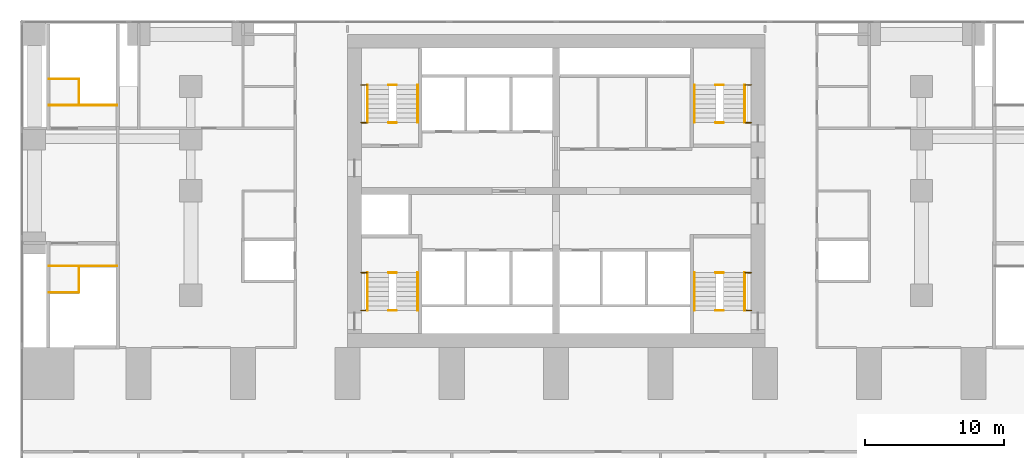
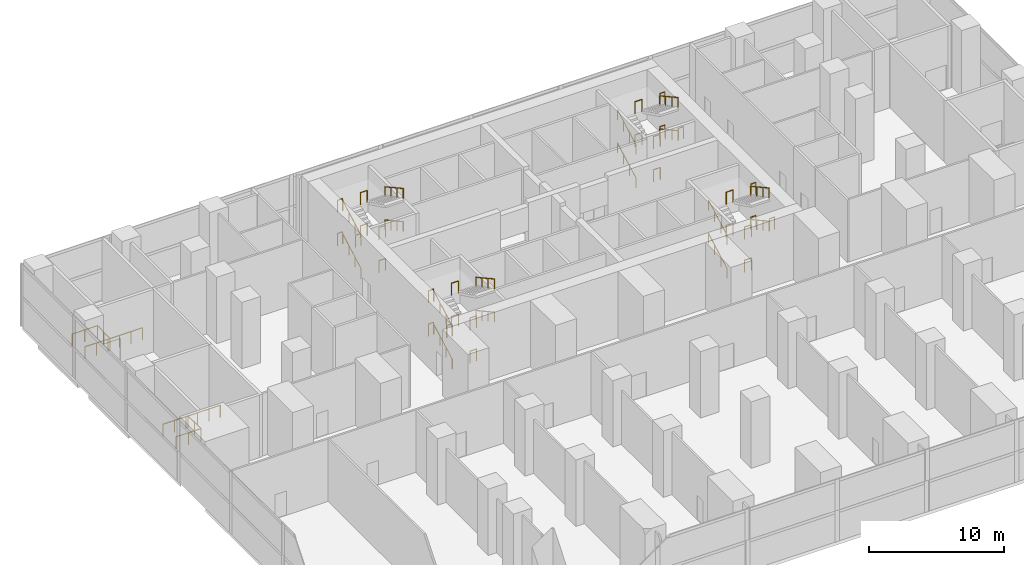
# One storey, part 13 of 14: 50 railings.
"""IFC4 building model written with IfcOpenShell, lengths in metres."""

from ifc_helpers import new_model, si_unit, direction, frame, origin, origin_2d, place, context, subcontext, project, spatial, circle, extrude, material, type_object, element, save


model = new_model("IFC4")

# Units and contexts
model_context = context("Model", 3, precision=1e-05, world=origin(), true_north=direction((0.0, 1.0)))
body_context = subcontext(model_context, "Body", "Model", "MODEL_VIEW")
ifc_project = project(units=[si_unit("LENGTHUNIT", "METRE"), si_unit("AREAUNIT", "SQUARE_METRE"), si_unit("VOLUMEUNIT", "CUBIC_METRE"), si_unit("PLANEANGLEUNIT", "RADIAN"), si_unit("MASSUNIT", "GRAM", prefix="KILO")], contexts=[model_context])

# Site, building, storey
site_placement = place(None, origin())
site = spatial("IfcSite", under=ifc_project, at=site_placement, CompositionType="ELEMENT")
building_placement = place(site_placement, origin())
building = spatial("IfcBuilding", under=site, at=building_placement, Name="Pilkhan Gate Tower", CompositionType="ELEMENT")
storey_placement = place(building_placement, frame((0.0, 0.0, 24.0)))
storey = spatial("IfcBuildingStorey", under=building, at=storey_placement, Name="L03", CompositionType="ELEMENT", Elevation=24.0)

# Railings
ifc_material_1 = material(Name="Black powder-coated steel tube", Category="steel")
railing_type_1 = type_object("IfcRailingType", Name="Stair handrail HR1", PredefinedType="HANDRAIL", material=ifc_material_1)
railing_1_placement = place(storey_placement, frame((84.949951171875, 73.89990234375, 0.0)))
element("IfcRailing", 1, at=railing_1_placement, inside=storey, type_object=railing_type_1, Name="Stair ST1 handrail L03", PredefinedType="HANDRAIL", context=body_context, shape_type="SweptSolid", body=[
    extrude(circle(Radius=0.02392578125, at=origin_2d()), frame((0.0, 0.0, 0.8759765625), z_axis=(0.0, 0.875687706403, 0.482877873644), x_axis=(-1.0, 0.0, 0.0)), (0.0, 0.0, 1.0), 3.1064453125),
    extrude(circle(Radius=0.02099609375, at=origin_2d()), origin(), (0.0, 0.0, 1.0), 0.851806640625),
    extrude(circle(Radius=0.02099609375, at=origin_2d()), frame((0.0, 0.90673828125, 0.5)), (0.0, 0.0, 1.0), 0.851806640625),
    extrude(circle(Radius=0.02099609375, at=origin_2d()), frame((0.0, 1.8134765625, 1.0)), (0.0, 0.0, 1.0), 0.851806640625),
    extrude(circle(Radius=0.02099609375, at=origin_2d()), frame((0.0, 2.72021484375, 1.5)), (0.0, 0.0, 1.0), 0.851806640625),
])
railing_2_placement = place(storey_placement, frame((88.550048828125, 76.6201171875, 1.5)))
element("IfcRailing", 2, at=railing_2_placement, inside=storey, type_object=railing_type_1, Name="Stair ST1 handrail L03", PredefinedType="HANDRAIL", context=body_context, shape_type="SweptSolid", body=[
    extrude(circle(Radius=0.02392578125, at=origin_2d()), frame((0.0, 0.0, 0.8759765625), z_axis=(0.0, -0.875687706403, 0.482877873644), x_axis=(1.0, 0.0, 0.0)), (0.0, 0.0, 1.0), 3.1064453125),
    extrude(circle(Radius=0.02099609375, at=origin_2d()), origin(), (0.0, 0.0, 1.0), 0.851806640625),
    extrude(circle(Radius=0.02099609375, at=origin_2d()), frame((0.0, -0.90673828125, 0.5)), (0.0, 0.0, 1.0), 0.851806640625),
    extrude(circle(Radius=0.02099609375, at=origin_2d()), frame((0.0, -1.8134765625, 1.0)), (0.0, 0.0, 1.0), 0.851806640625),
    extrude(circle(Radius=0.02099609375, at=origin_2d()), frame((0.0, -2.72021484375, 1.5)), (0.0, 0.0, 1.0), 0.851806640625),
])
railing_3_placement = place(storey_placement, frame((84.949951171875, 73.89990234375, 3.0)))
element("IfcRailing", 3, at=railing_3_placement, inside=storey, type_object=railing_type_1, Name="Stair ST1 handrail L03", PredefinedType="HANDRAIL", context=body_context, shape_type="SweptSolid", body=[
    extrude(circle(Radius=0.02392578125, at=origin_2d()), frame((0.0, 0.0, 0.8759765625), z_axis=(0.0, 0.875687706403, 0.482877873644), x_axis=(-1.0, 0.0, 0.0)), (0.0, 0.0, 1.0), 3.1064453125),
    extrude(circle(Radius=0.02099609375, at=origin_2d()), origin(), (0.0, 0.0, 1.0), 0.851806640625),
    extrude(circle(Radius=0.02099609375, at=origin_2d()), frame((0.0, 0.90673828125, 0.5)), (0.0, 0.0, 1.0), 0.851806640625),
    extrude(circle(Radius=0.02099609375, at=origin_2d()), frame((0.0, 1.8134765625, 1.0)), (0.0, 0.0, 1.0), 0.851806640625),
    extrude(circle(Radius=0.02099609375, at=origin_2d()), frame((0.0, 2.72021484375, 1.5)), (0.0, 0.0, 1.0), 0.851806640625),
])
railing_4_placement = place(storey_placement, frame((88.550048828125, 76.6201171875, 4.5)))
element("IfcRailing", 4, at=railing_4_placement, inside=storey, type_object=railing_type_1, Name="Stair ST1 handrail L03", PredefinedType="HANDRAIL", context=body_context, shape_type="SweptSolid", body=[
    extrude(circle(Radius=0.02392578125, at=origin_2d()), frame((0.0, 0.0, 0.8759765625), z_axis=(0.0, -0.875687706403, 0.482877873644), x_axis=(1.0, 0.0, 0.0)), (0.0, 0.0, 1.0), 3.1064453125),
    extrude(circle(Radius=0.02099609375, at=origin_2d()), origin(), (0.0, 0.0, 1.0), 0.851806640625),
    extrude(circle(Radius=0.02099609375, at=origin_2d()), frame((0.0, -0.90673828125, 0.5)), (0.0, 0.0, 1.0), 0.851806640625),
    extrude(circle(Radius=0.02099609375, at=origin_2d()), frame((0.0, -1.8134765625, 1.0)), (0.0, 0.0, 1.0), 0.851806640625),
    extrude(circle(Radius=0.02099609375, at=origin_2d()), frame((0.0, -2.72021484375, 1.5)), (0.0, 0.0, 1.0), 0.851806640625),
])
railing_5_placement = place(storey_placement, frame((61.449951171875, 73.89990234375, 0.0)))
element("IfcRailing", 5, at=railing_5_placement, inside=storey, type_object=railing_type_1, Name="Stair ST2 handrail L03", PredefinedType="HANDRAIL", context=body_context, shape_type="SweptSolid", body=[
    extrude(circle(Radius=0.02392578125, at=origin_2d()), frame((0.0, 0.0, 0.8759765625), z_axis=(0.0, 0.875687706403, 0.482877873644), x_axis=(-1.0, 0.0, 0.0)), (0.0, 0.0, 1.0), 3.1064453125),
    extrude(circle(Radius=0.02099609375, at=origin_2d()), origin(), (0.0, 0.0, 1.0), 0.851806640625),
    extrude(circle(Radius=0.02099609375, at=origin_2d()), frame((0.0, 0.90673828125, 0.5)), (0.0, 0.0, 1.0), 0.851806640625),
    extrude(circle(Radius=0.02099609375, at=origin_2d()), frame((0.0, 1.8134765625, 1.0)), (0.0, 0.0, 1.0), 0.851806640625),
    extrude(circle(Radius=0.02099609375, at=origin_2d()), frame((0.0, 2.72021484375, 1.5)), (0.0, 0.0, 1.0), 0.851806640625),
])
railing_6_placement = place(storey_placement, frame((65.050048828125, 76.6201171875, 1.5)))
element("IfcRailing", 6, at=railing_6_placement, inside=storey, type_object=railing_type_1, Name="Stair ST2 handrail L03", PredefinedType="HANDRAIL", context=body_context, shape_type="SweptSolid", body=[
    extrude(circle(Radius=0.02392578125, at=origin_2d()), frame((0.0, 0.0, 0.8759765625), z_axis=(0.0, -0.875687706403, 0.482877873644), x_axis=(1.0, 0.0, 0.0)), (0.0, 0.0, 1.0), 3.1064453125),
    extrude(circle(Radius=0.02099609375, at=origin_2d()), origin(), (0.0, 0.0, 1.0), 0.851806640625),
    extrude(circle(Radius=0.02099609375, at=origin_2d()), frame((0.0, -0.90673828125, 0.5)), (0.0, 0.0, 1.0), 0.851806640625),
    extrude(circle(Radius=0.02099609375, at=origin_2d()), frame((0.0, -1.8134765625, 1.0)), (0.0, 0.0, 1.0), 0.851806640625),
    extrude(circle(Radius=0.02099609375, at=origin_2d()), frame((0.0, -2.72021484375, 1.5)), (0.0, 0.0, 1.0), 0.851806640625),
])
railing_7_placement = place(storey_placement, frame((61.449951171875, 73.89990234375, 3.0)))
element("IfcRailing", 7, at=railing_7_placement, inside=storey, type_object=railing_type_1, Name="Stair ST2 handrail L03", PredefinedType="HANDRAIL", context=body_context, shape_type="SweptSolid", body=[
    extrude(circle(Radius=0.02392578125, at=origin_2d()), frame((0.0, 0.0, 0.8759765625), z_axis=(0.0, 0.875687706403, 0.482877873644), x_axis=(-1.0, 0.0, 0.0)), (0.0, 0.0, 1.0), 3.1064453125),
    extrude(circle(Radius=0.02099609375, at=origin_2d()), origin(), (0.0, 0.0, 1.0), 0.851806640625),
    extrude(circle(Radius=0.02099609375, at=origin_2d()), frame((0.0, 0.90673828125, 0.5)), (0.0, 0.0, 1.0), 0.851806640625),
    extrude(circle(Radius=0.02099609375, at=origin_2d()), frame((0.0, 1.8134765625, 1.0)), (0.0, 0.0, 1.0), 0.851806640625),
    extrude(circle(Radius=0.02099609375, at=origin_2d()), frame((0.0, 2.72021484375, 1.5)), (0.0, 0.0, 1.0), 0.851806640625),
])
railing_8_placement = place(storey_placement, frame((65.050048828125, 76.6201171875, 4.5)))
element("IfcRailing", 8, at=railing_8_placement, inside=storey, type_object=railing_type_1, Name="Stair ST2 handrail L03", PredefinedType="HANDRAIL", context=body_context, shape_type="SweptSolid", body=[
    extrude(circle(Radius=0.02392578125, at=origin_2d()), frame((0.0, 0.0, 0.8759765625), z_axis=(0.0, -0.875687706403, 0.482877873644), x_axis=(1.0, 0.0, 0.0)), (0.0, 0.0, 1.0), 3.1064453125),
    extrude(circle(Radius=0.02099609375, at=origin_2d()), origin(), (0.0, 0.0, 1.0), 0.851806640625),
    extrude(circle(Radius=0.02099609375, at=origin_2d()), frame((0.0, -0.90673828125, 0.5)), (0.0, 0.0, 1.0), 0.851806640625),
    extrude(circle(Radius=0.02099609375, at=origin_2d()), frame((0.0, -1.8134765625, 1.0)), (0.0, 0.0, 1.0), 0.851806640625),
    extrude(circle(Radius=0.02099609375, at=origin_2d()), frame((0.0, -2.72021484375, 1.5)), (0.0, 0.0, 1.0), 0.851806640625),
])
railing_9_placement = place(storey_placement, frame((61.449951171875, 87.39990234375, 0.0)))
element("IfcRailing", 9, at=railing_9_placement, inside=storey, type_object=railing_type_1, Name="Stair ST3 handrail L03", PredefinedType="HANDRAIL", context=body_context, shape_type="SweptSolid", body=[
    extrude(circle(Radius=0.02392578125, at=origin_2d()), frame((0.0, 0.0, 0.8759765625), z_axis=(0.0, 0.875687706403, 0.482877873644), x_axis=(-1.0, 0.0, 0.0)), (0.0, 0.0, 1.0), 3.1064453125),
    extrude(circle(Radius=0.02099609375, at=origin_2d()), origin(), (0.0, 0.0, 1.0), 0.851806640625),
    extrude(circle(Radius=0.02099609375, at=origin_2d()), frame((0.0, 0.90673828125, 0.5)), (0.0, 0.0, 1.0), 0.851806640625),
    extrude(circle(Radius=0.02099609375, at=origin_2d()), frame((0.0, 1.8134765625, 1.0)), (0.0, 0.0, 1.0), 0.851806640625),
    extrude(circle(Radius=0.02099609375, at=origin_2d()), frame((0.0, 2.72021484375, 1.5)), (0.0, 0.0, 1.0), 0.851806640625),
])
railing_10_placement = place(storey_placement, frame((65.050048828125, 90.1201171875, 1.5)))
element("IfcRailing", 10, at=railing_10_placement, inside=storey, type_object=railing_type_1, Name="Stair ST3 handrail L03", PredefinedType="HANDRAIL", context=body_context, shape_type="SweptSolid", body=[
    extrude(circle(Radius=0.02392578125, at=origin_2d()), frame((0.0, 0.0, 0.8759765625), z_axis=(0.0, -0.875687706403, 0.482877873644), x_axis=(1.0, 0.0, 0.0)), (0.0, 0.0, 1.0), 3.1064453125),
    extrude(circle(Radius=0.02099609375, at=origin_2d()), origin(), (0.0, 0.0, 1.0), 0.851806640625),
    extrude(circle(Radius=0.02099609375, at=origin_2d()), frame((0.0, -0.90673828125, 0.5)), (0.0, 0.0, 1.0), 0.851806640625),
    extrude(circle(Radius=0.02099609375, at=origin_2d()), frame((0.0, -1.8134765625, 1.0)), (0.0, 0.0, 1.0), 0.851806640625),
    extrude(circle(Radius=0.02099609375, at=origin_2d()), frame((0.0, -2.72021484375, 1.5)), (0.0, 0.0, 1.0), 0.851806640625),
])
railing_11_placement = place(storey_placement, frame((61.449951171875, 87.39990234375, 3.0)))
element("IfcRailing", 11, at=railing_11_placement, inside=storey, type_object=railing_type_1, Name="Stair ST3 handrail L03", PredefinedType="HANDRAIL", context=body_context, shape_type="SweptSolid", body=[
    extrude(circle(Radius=0.02392578125, at=origin_2d()), frame((0.0, 0.0, 0.8759765625), z_axis=(0.0, 0.875687706403, 0.482877873644), x_axis=(-1.0, 0.0, 0.0)), (0.0, 0.0, 1.0), 3.1064453125),
    extrude(circle(Radius=0.02099609375, at=origin_2d()), origin(), (0.0, 0.0, 1.0), 0.851806640625),
    extrude(circle(Radius=0.02099609375, at=origin_2d()), frame((0.0, 0.90673828125, 0.5)), (0.0, 0.0, 1.0), 0.851806640625),
    extrude(circle(Radius=0.02099609375, at=origin_2d()), frame((0.0, 1.8134765625, 1.0)), (0.0, 0.0, 1.0), 0.851806640625),
    extrude(circle(Radius=0.02099609375, at=origin_2d()), frame((0.0, 2.72021484375, 1.5)), (0.0, 0.0, 1.0), 0.851806640625),
])
railing_12_placement = place(storey_placement, frame((65.050048828125, 90.1201171875, 4.5)))
element("IfcRailing", 12, at=railing_12_placement, inside=storey, type_object=railing_type_1, Name="Stair ST3 handrail L03", PredefinedType="HANDRAIL", context=body_context, shape_type="SweptSolid", body=[
    extrude(circle(Radius=0.02392578125, at=origin_2d()), frame((0.0, 0.0, 0.8759765625), z_axis=(0.0, -0.875687706403, 0.482877873644), x_axis=(1.0, 0.0, 0.0)), (0.0, 0.0, 1.0), 3.1064453125),
    extrude(circle(Radius=0.02099609375, at=origin_2d()), origin(), (0.0, 0.0, 1.0), 0.851806640625),
    extrude(circle(Radius=0.02099609375, at=origin_2d()), frame((0.0, -0.90673828125, 0.5)), (0.0, 0.0, 1.0), 0.851806640625),
    extrude(circle(Radius=0.02099609375, at=origin_2d()), frame((0.0, -1.8134765625, 1.0)), (0.0, 0.0, 1.0), 0.851806640625),
    extrude(circle(Radius=0.02099609375, at=origin_2d()), frame((0.0, -2.72021484375, 1.5)), (0.0, 0.0, 1.0), 0.851806640625),
])
railing_13_placement = place(storey_placement, frame((84.949951171875, 87.39990234375, 0.0)))
element("IfcRailing", 13, at=railing_13_placement, inside=storey, type_object=railing_type_1, Name="Stair ST4 handrail L03", PredefinedType="HANDRAIL", context=body_context, shape_type="SweptSolid", body=[
    extrude(circle(Radius=0.02392578125, at=origin_2d()), frame((0.0, 0.0, 0.8759765625), z_axis=(0.0, 0.875687706403, 0.482877873644), x_axis=(-1.0, 0.0, 0.0)), (0.0, 0.0, 1.0), 3.1064453125),
    extrude(circle(Radius=0.02099609375, at=origin_2d()), origin(), (0.0, 0.0, 1.0), 0.851806640625),
    extrude(circle(Radius=0.02099609375, at=origin_2d()), frame((0.0, 0.90673828125, 0.5)), (0.0, 0.0, 1.0), 0.851806640625),
    extrude(circle(Radius=0.02099609375, at=origin_2d()), frame((0.0, 1.8134765625, 1.0)), (0.0, 0.0, 1.0), 0.851806640625),
    extrude(circle(Radius=0.02099609375, at=origin_2d()), frame((0.0, 2.72021484375, 1.5)), (0.0, 0.0, 1.0), 0.851806640625),
])
railing_14_placement = place(storey_placement, frame((88.550048828125, 90.1201171875, 1.5)))
element("IfcRailing", 14, at=railing_14_placement, inside=storey, type_object=railing_type_1, Name="Stair ST4 handrail L03", PredefinedType="HANDRAIL", context=body_context, shape_type="SweptSolid", body=[
    extrude(circle(Radius=0.02392578125, at=origin_2d()), frame((0.0, 0.0, 0.8759765625), z_axis=(0.0, -0.875687706403, 0.482877873644), x_axis=(1.0, 0.0, 0.0)), (0.0, 0.0, 1.0), 3.1064453125),
    extrude(circle(Radius=0.02099609375, at=origin_2d()), origin(), (0.0, 0.0, 1.0), 0.851806640625),
    extrude(circle(Radius=0.02099609375, at=origin_2d()), frame((0.0, -0.90673828125, 0.5)), (0.0, 0.0, 1.0), 0.851806640625),
    extrude(circle(Radius=0.02099609375, at=origin_2d()), frame((0.0, -1.8134765625, 1.0)), (0.0, 0.0, 1.0), 0.851806640625),
    extrude(circle(Radius=0.02099609375, at=origin_2d()), frame((0.0, -2.72021484375, 1.5)), (0.0, 0.0, 1.0), 0.851806640625),
])
railing_15_placement = place(storey_placement, frame((84.949951171875, 87.39990234375, 3.0)))
element("IfcRailing", 15, at=railing_15_placement, inside=storey, type_object=railing_type_1, Name="Stair ST4 handrail L03", PredefinedType="HANDRAIL", context=body_context, shape_type="SweptSolid", body=[
    extrude(circle(Radius=0.02392578125, at=origin_2d()), frame((0.0, 0.0, 0.8759765625), z_axis=(0.0, 0.875687706403, 0.482877873644), x_axis=(-1.0, 0.0, 0.0)), (0.0, 0.0, 1.0), 3.1064453125),
    extrude(circle(Radius=0.02099609375, at=origin_2d()), origin(), (0.0, 0.0, 1.0), 0.851806640625),
    extrude(circle(Radius=0.02099609375, at=origin_2d()), frame((0.0, 0.90673828125, 0.5)), (0.0, 0.0, 1.0), 0.851806640625),
    extrude(circle(Radius=0.02099609375, at=origin_2d()), frame((0.0, 1.8134765625, 1.0)), (0.0, 0.0, 1.0), 0.851806640625),
    extrude(circle(Radius=0.02099609375, at=origin_2d()), frame((0.0, 2.72021484375, 1.5)), (0.0, 0.0, 1.0), 0.851806640625),
])
railing_16_placement = place(storey_placement, frame((88.550048828125, 90.1201171875, 4.5)))
element("IfcRailing", 16, at=railing_16_placement, inside=storey, type_object=railing_type_1, Name="Stair ST4 handrail L03", PredefinedType="HANDRAIL", context=body_context, shape_type="SweptSolid", body=[
    extrude(circle(Radius=0.02392578125, at=origin_2d()), frame((0.0, 0.0, 0.8759765625), z_axis=(0.0, -0.875687706403, 0.482877873644), x_axis=(1.0, 0.0, 0.0)), (0.0, 0.0, 1.0), 3.1064453125),
    extrude(circle(Radius=0.02099609375, at=origin_2d()), origin(), (0.0, 0.0, 1.0), 0.851806640625),
    extrude(circle(Radius=0.02099609375, at=origin_2d()), frame((0.0, -0.90673828125, 0.5)), (0.0, 0.0, 1.0), 0.851806640625),
    extrude(circle(Radius=0.02099609375, at=origin_2d()), frame((0.0, -1.8134765625, 1.0)), (0.0, 0.0, 1.0), 0.851806640625),
    extrude(circle(Radius=0.02099609375, at=origin_2d()), frame((0.0, -2.72021484375, 1.5)), (0.0, 0.0, 1.0), 0.851806640625),
])
ifc_material_2 = material(Name="Black powder-coated steel balusters", Category="steel")
railing_type_2 = type_object("IfcRailingType", Name="Stair well guard G3", PredefinedType="GUARDRAIL", material=ifc_material_2)
for number, where, name in (
    (17, (88.580078125, 76.6201171875, 1.5), "Stair ST1 well guard L03"),
    (18, (88.580078125, 73.89990234375, 3.0), "Stair ST1 well guard L03"),
    (19, (88.580078125, 76.6201171875, 4.5), "Stair ST1 well guard L03"),
):
    element("IfcRailing", number, at=place(storey_placement, frame(where)), inside=storey, type_object=railing_type_2, Name=name, PredefinedType="GUARDRAIL", context=body_context, shape_type="SweptSolid", body=[
        extrude(circle(Radius=0.02392578125, at=origin_2d()), frame((0.0, 0.0, 1.076171875), z_axis=(1.0, 0.0, 0.0), x_axis=(0.0, 1.0, 0.0)), (0.0, 0.0, 1.0), 0.43994140625),
        extrude(circle(Radius=0.02099609375, at=origin_2d()), origin(), (0.0, 0.0, 1.0), 1.052001953125),
        extrude(circle(Radius=0.02099609375, at=origin_2d()), frame((0.43994140625, 0.0, 0.0)), (0.0, 0.0, 1.0), 1.052001953125),
    ])
for number, where, name in (
    (20, (86.4599609375, 73.89990234375, 0.0), "Stair ST1 well guard L03"),
    (21, (86.4599609375, 76.6201171875, 1.5), "Stair ST1 well guard L03"),
    (22, (86.4599609375, 73.89990234375, 3.0), "Stair ST1 well guard L03"),
    (23, (86.4599609375, 76.6201171875, 4.5), "Stair ST1 well guard L03"),
):
    element("IfcRailing", number, at=place(storey_placement, frame(where)), inside=storey, type_object=railing_type_2, Name=name, PredefinedType="GUARDRAIL", context=body_context, shape_type="SweptSolid", body=[
        extrude(circle(Radius=0.02392578125, at=origin_2d()), frame((0.0, 0.0, 1.076171875), z_axis=(1.0, 0.0, 0.0), x_axis=(0.0, 1.0, 0.0)), (0.0, 0.0, 1.0), 0.580078125),
        extrude(circle(Radius=0.02099609375, at=origin_2d()), origin(), (0.0, 0.0, 1.0), 1.052001953125),
        extrude(circle(Radius=0.02099609375, at=origin_2d()), frame((0.580078125, 0.0, 0.0)), (0.0, 0.0, 1.0), 1.052001953125),
    ])
for number, where, name in (
    (24, (60.97998046875, 76.6201171875, 1.5), "Stair ST2 well guard L03"),
    (25, (60.97998046875, 73.89990234375, 3.0), "Stair ST2 well guard L03"),
    (26, (60.97998046875, 76.6201171875, 4.5), "Stair ST2 well guard L03"),
):
    element("IfcRailing", number, at=place(storey_placement, frame(where)), inside=storey, type_object=railing_type_2, Name=name, PredefinedType="GUARDRAIL", context=body_context, shape_type="SweptSolid", body=[
        extrude(circle(Radius=0.02392578125, at=origin_2d()), frame((0.0, 0.0, 1.076171875), z_axis=(1.0, 0.0, 0.0), x_axis=(0.0, 1.0, 0.0)), (0.0, 0.0, 1.0), 0.43994140625),
        extrude(circle(Radius=0.02099609375, at=origin_2d()), origin(), (0.0, 0.0, 1.0), 1.052001953125),
        extrude(circle(Radius=0.02099609375, at=origin_2d()), frame((0.43994140625, 0.0, 0.0)), (0.0, 0.0, 1.0), 1.052001953125),
    ])
for number, where, name in (
    (27, (62.9599609375, 73.89990234375, 0.0), "Stair ST2 well guard L03"),
    (28, (62.9599609375, 76.6201171875, 1.5), "Stair ST2 well guard L03"),
    (29, (62.9599609375, 73.89990234375, 3.0), "Stair ST2 well guard L03"),
    (30, (62.9599609375, 76.6201171875, 4.5), "Stair ST2 well guard L03"),
):
    element("IfcRailing", number, at=place(storey_placement, frame(where)), inside=storey, type_object=railing_type_2, Name=name, PredefinedType="GUARDRAIL", context=body_context, shape_type="SweptSolid", body=[
        extrude(circle(Radius=0.02392578125, at=origin_2d()), frame((0.0, 0.0, 1.076171875), z_axis=(1.0, 0.0, 0.0), x_axis=(0.0, 1.0, 0.0)), (0.0, 0.0, 1.0), 0.580078125),
        extrude(circle(Radius=0.02099609375, at=origin_2d()), origin(), (0.0, 0.0, 1.0), 1.052001953125),
        extrude(circle(Radius=0.02099609375, at=origin_2d()), frame((0.580078125, 0.0, 0.0)), (0.0, 0.0, 1.0), 1.052001953125),
    ])
for number, where, name in (
    (31, (60.97998046875, 90.1201171875, 1.5), "Stair ST3 well guard L03"),
    (32, (60.97998046875, 87.39990234375, 3.0), "Stair ST3 well guard L03"),
    (33, (60.97998046875, 90.1201171875, 4.5), "Stair ST3 well guard L03"),
):
    element("IfcRailing", number, at=place(storey_placement, frame(where)), inside=storey, type_object=railing_type_2, Name=name, PredefinedType="GUARDRAIL", context=body_context, shape_type="SweptSolid", body=[
        extrude(circle(Radius=0.02392578125, at=origin_2d()), frame((0.0, 0.0, 1.076171875), z_axis=(1.0, 0.0, 0.0), x_axis=(0.0, 1.0, 0.0)), (0.0, 0.0, 1.0), 0.43994140625),
        extrude(circle(Radius=0.02099609375, at=origin_2d()), origin(), (0.0, 0.0, 1.0), 1.052001953125),
        extrude(circle(Radius=0.02099609375, at=origin_2d()), frame((0.43994140625, 0.0, 0.0)), (0.0, 0.0, 1.0), 1.052001953125),
    ])
for number, where, name in (
    (34, (62.9599609375, 87.39990234375, 0.0), "Stair ST3 well guard L03"),
    (35, (62.9599609375, 90.1201171875, 1.5), "Stair ST3 well guard L03"),
    (36, (62.9599609375, 87.39990234375, 3.0), "Stair ST3 well guard L03"),
    (37, (62.9599609375, 90.1201171875, 4.5), "Stair ST3 well guard L03"),
):
    element("IfcRailing", number, at=place(storey_placement, frame(where)), inside=storey, type_object=railing_type_2, Name=name, PredefinedType="GUARDRAIL", context=body_context, shape_type="SweptSolid", body=[
        extrude(circle(Radius=0.02392578125, at=origin_2d()), frame((0.0, 0.0, 1.076171875), z_axis=(1.0, 0.0, 0.0), x_axis=(0.0, 1.0, 0.0)), (0.0, 0.0, 1.0), 0.580078125),
        extrude(circle(Radius=0.02099609375, at=origin_2d()), origin(), (0.0, 0.0, 1.0), 1.052001953125),
        extrude(circle(Radius=0.02099609375, at=origin_2d()), frame((0.580078125, 0.0, 0.0)), (0.0, 0.0, 1.0), 1.052001953125),
    ])
for number, where, name in (
    (38, (88.580078125, 90.1201171875, 1.5), "Stair ST4 well guard L03"),
    (39, (88.580078125, 87.39990234375, 3.0), "Stair ST4 well guard L03"),
    (40, (88.580078125, 90.1201171875, 4.5), "Stair ST4 well guard L03"),
):
    element("IfcRailing", number, at=place(storey_placement, frame(where)), inside=storey, type_object=railing_type_2, Name=name, PredefinedType="GUARDRAIL", context=body_context, shape_type="SweptSolid", body=[
        extrude(circle(Radius=0.02392578125, at=origin_2d()), frame((0.0, 0.0, 1.076171875), z_axis=(1.0, 0.0, 0.0), x_axis=(0.0, 1.0, 0.0)), (0.0, 0.0, 1.0), 0.43994140625),
        extrude(circle(Radius=0.02099609375, at=origin_2d()), origin(), (0.0, 0.0, 1.0), 1.052001953125),
        extrude(circle(Radius=0.02099609375, at=origin_2d()), frame((0.43994140625, 0.0, 0.0)), (0.0, 0.0, 1.0), 1.052001953125),
    ])
for number, where, name in (
    (41, (86.4599609375, 87.39990234375, 0.0), "Stair ST4 well guard L03"),
    (42, (86.4599609375, 90.1201171875, 1.5), "Stair ST4 well guard L03"),
    (43, (86.4599609375, 87.39990234375, 3.0), "Stair ST4 well guard L03"),
    (44, (86.4599609375, 90.1201171875, 4.5), "Stair ST4 well guard L03"),
):
    element("IfcRailing", number, at=place(storey_placement, frame(where)), inside=storey, type_object=railing_type_2, Name=name, PredefinedType="GUARDRAIL", context=body_context, shape_type="SweptSolid", body=[
        extrude(circle(Radius=0.02392578125, at=origin_2d()), frame((0.0, 0.0, 1.076171875), z_axis=(1.0, 0.0, 0.0), x_axis=(0.0, 1.0, 0.0)), (0.0, 0.0, 1.0), 0.580078125),
        extrude(circle(Radius=0.02099609375, at=origin_2d()), origin(), (0.0, 0.0, 1.0), 1.052001953125),
        extrude(circle(Radius=0.02099609375, at=origin_2d()), frame((0.580078125, 0.0, 0.0)), (0.0, 0.0, 1.0), 1.052001953125),
    ])
railing_17_placement = place(storey_placement, frame((38.550048828125, 88.64990234375, 0.0)))
element("IfcRailing", 45, at=railing_17_placement, inside=storey, type_object=railing_type_2, Name="Stair PS1 well guard L03", PredefinedType="GUARDRAIL", context=body_context, shape_type="SweptSolid", body=[
    extrude(circle(Radius=0.02392578125, at=origin_2d()), frame((0.0, 0.0, 1.076171875), z_axis=(1.0, 0.0, 0.0), x_axis=(0.0, 1.0, 0.0)), (0.0, 0.0, 1.0), 4.89990234375),
    extrude(circle(Radius=0.02099609375, at=origin_2d()), origin(), (0.0, 0.0, 1.0), 1.052001953125),
    extrude(circle(Radius=0.02099609375, at=origin_2d()), frame((0.97998046875, 0.0, 0.0)), (0.0, 0.0, 1.0), 1.052001953125),
    extrude(circle(Radius=0.02099609375, at=origin_2d()), frame((1.9599609375, 0.0, 0.0)), (0.0, 0.0, 1.0), 1.052001953125),
    extrude(circle(Radius=0.02099609375, at=origin_2d()), frame((2.93994140625, 0.0, 0.0)), (0.0, 0.0, 1.0), 1.052001953125),
    extrude(circle(Radius=0.02099609375, at=origin_2d()), frame((3.919921875, 0.0, 0.0)), (0.0, 0.0, 1.0), 1.052001953125),
    extrude(circle(Radius=0.02099609375, at=origin_2d()), frame((4.89990234375, 0.0, 0.0)), (0.0, 0.0, 1.0), 1.052001953125),
])
railing_18_placement = place(storey_placement, frame((38.550048828125, 90.550048828125, 0.0)))
element("IfcRailing", 46, at=railing_18_placement, inside=storey, type_object=railing_type_2, Name="Stair PS1 well guard L03", PredefinedType="GUARDRAIL", context=body_context, shape_type="SweptSolid", body=[
    extrude(circle(Radius=0.02392578125, at=origin_2d()), frame((0.0, 0.0, 1.076171875), z_axis=(1.0, 0.0, 0.0), x_axis=(0.0, 1.0, 0.0)), (0.0, 0.0, 1.0), 2.14990234375),
    extrude(circle(Radius=0.02099609375, at=origin_2d()), origin(), (0.0, 0.0, 1.0), 1.052001953125),
    extrude(circle(Radius=0.02099609375, at=origin_2d()), frame((1.074951171875, 0.0, 0.0)), (0.0, 0.0, 1.0), 1.052001953125),
    extrude(circle(Radius=0.02099609375, at=origin_2d()), frame((2.14990234375, 0.0, 0.0)), (0.0, 0.0, 1.0), 1.052001953125),
])
railing_19_placement = place(storey_placement, frame((40.699951171875, 90.550048828125, 0.0)))
element("IfcRailing", 47, at=railing_19_placement, inside=storey, type_object=railing_type_2, Name="Stair PS1 well guard L03", PredefinedType="GUARDRAIL", context=body_context, shape_type="SweptSolid", body=[
    extrude(circle(Radius=0.02392578125, at=origin_2d()), frame((0.0, 0.0, 1.076171875), z_axis=(0.0, -1.0, 0.0), x_axis=(1.0, 0.0, 0.0)), (0.0, 0.0, 1.0), 1.900146484375),
    extrude(circle(Radius=0.02099609375, at=origin_2d()), origin(), (0.0, 0.0, 1.0), 1.052001953125),
    extrude(circle(Radius=0.02099609375, at=origin_2d()), frame((0.0, -0.9501953125, 0.0)), (0.0, 0.0, 1.0), 1.052001953125),
    extrude(circle(Radius=0.02099609375, at=origin_2d()), frame((0.0, -1.900146484375, 0.0)), (0.0, 0.0, 1.0), 1.052001953125),
])
railing_20_placement = place(storey_placement, frame((38.550048828125, 77.10009765625, 0.0)))
element("IfcRailing", 48, at=railing_20_placement, inside=storey, type_object=railing_type_2, Name="Stair PS3 well guard L03", PredefinedType="GUARDRAIL", context=body_context, shape_type="SweptSolid", body=[
    extrude(circle(Radius=0.02392578125, at=origin_2d()), frame((0.0, 0.0, 1.076171875), z_axis=(1.0, 0.0, 0.0), x_axis=(0.0, 1.0, 0.0)), (0.0, 0.0, 1.0), 4.89990234375),
    extrude(circle(Radius=0.02099609375, at=origin_2d()), origin(), (0.0, 0.0, 1.0), 1.052001953125),
    extrude(circle(Radius=0.02099609375, at=origin_2d()), frame((0.97998046875, 0.0, 0.0)), (0.0, 0.0, 1.0), 1.052001953125),
    extrude(circle(Radius=0.02099609375, at=origin_2d()), frame((1.9599609375, 0.0, 0.0)), (0.0, 0.0, 1.0), 1.052001953125),
    extrude(circle(Radius=0.02099609375, at=origin_2d()), frame((2.93994140625, 0.0, 0.0)), (0.0, 0.0, 1.0), 1.052001953125),
    extrude(circle(Radius=0.02099609375, at=origin_2d()), frame((3.919921875, 0.0, 0.0)), (0.0, 0.0, 1.0), 1.052001953125),
    extrude(circle(Radius=0.02099609375, at=origin_2d()), frame((4.89990234375, 0.0, 0.0)), (0.0, 0.0, 1.0), 1.052001953125),
])
railing_21_placement = place(storey_placement, frame((38.550048828125, 75.199951171875, 0.0)))
element("IfcRailing", 49, at=railing_21_placement, inside=storey, type_object=railing_type_2, Name="Stair PS3 well guard L03", PredefinedType="GUARDRAIL", context=body_context, shape_type="SweptSolid", body=[
    extrude(circle(Radius=0.02392578125, at=origin_2d()), frame((0.0, 0.0, 1.076171875), z_axis=(1.0, 0.0, 0.0), x_axis=(0.0, 1.0, 0.0)), (0.0, 0.0, 1.0), 2.14990234375),
    extrude(circle(Radius=0.02099609375, at=origin_2d()), origin(), (0.0, 0.0, 1.0), 1.052001953125),
    extrude(circle(Radius=0.02099609375, at=origin_2d()), frame((1.074951171875, 0.0, 0.0)), (0.0, 0.0, 1.0), 1.052001953125),
    extrude(circle(Radius=0.02099609375, at=origin_2d()), frame((2.14990234375, 0.0, 0.0)), (0.0, 0.0, 1.0), 1.052001953125),
])
railing_22_placement = place(storey_placement, frame((40.699951171875, 75.199951171875, 0.0)))
element("IfcRailing", 50, at=railing_22_placement, inside=storey, type_object=railing_type_2, Name="Stair PS3 well guard L03", PredefinedType="GUARDRAIL", context=body_context, shape_type="SweptSolid", body=[
    extrude(circle(Radius=0.02392578125, at=origin_2d()), frame((0.0, 0.0, 1.076171875), z_axis=(0.0, 1.0, 0.0), x_axis=(-1.0, 0.0, 0.0)), (0.0, 0.0, 1.0), 1.900146484375),
    extrude(circle(Radius=0.02099609375, at=origin_2d()), origin(), (0.0, 0.0, 1.0), 1.052001953125),
    extrude(circle(Radius=0.02099609375, at=origin_2d()), frame((0.0, 0.9501953125, 0.0)), (0.0, 0.0, 1.0), 1.052001953125),
    extrude(circle(Radius=0.02099609375, at=origin_2d()), frame((0.0, 1.900146484375, 0.0)), (0.0, 0.0, 1.0), 1.052001953125),
])

save(model, "model.ifc")
